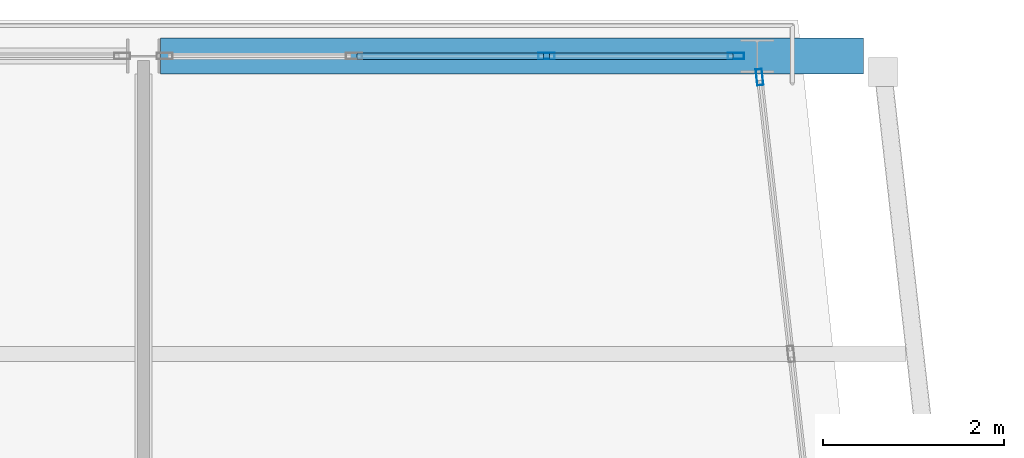
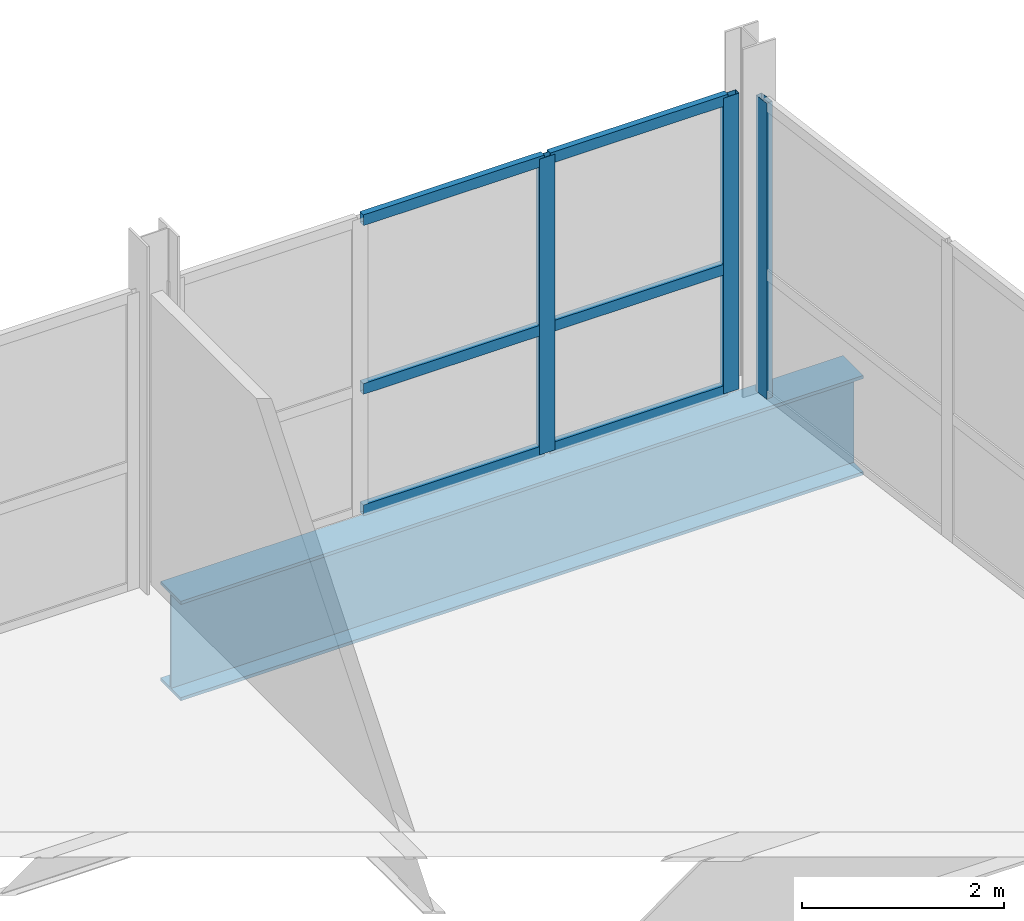
# One storey, part 13 of 23: 9 members, 1 beam, 2 elements without a shape of their own.
"""IFC4 building model written with IfcOpenShell, lengths in metres."""

import ifcopenshell
import ifcopenshell.guid

model = None  # the IFC model being written
_history = None  # IfcOwnerHistory: only IFC2X3 demands one
_inside = {}  # id of a spatial element -> (the spatial element, [elements in it])
_under = {}  # id of a project, library or spatial element -> (it, [spatial elements below it])
_declared = {}  # id of a project -> (the project, [libraries it declares])
_typed = {}  # id of a type object -> (the type object, [elements of that type])
_made_of = {}  # id of a material, layer set ... -> (it, [elements and type objects made of it])


def new_model(schema):
    """Start an empty IFC model of exactly this schema.

    Asked for "IFC4X3", IfcOpenShell would pick the latest addendum, in which some entities
    have other attributes; the version numbers below select the first issue.
    IFC2X3 requires an IfcOwnerHistory on every rooted entity: one is made here for all.
    """
    global model, _history
    if schema == "IFC4X3":
        model = ifcopenshell.file(schema_version=(4, 3, 0, 0))
    else:
        model = ifcopenshell.file(schema=schema)
    _inside.clear()
    _under.clear()
    _declared.clear()
    _typed.clear()
    _made_of.clear()
    _history = None
    if model.schema == "IFC2X3":
        org = make("IfcOrganization", Name="unknown")
        user = make(
            "IfcPersonAndOrganization",
            ThePerson=make("IfcPerson", FamilyName="unknown"),
            TheOrganization=org,
        )
        app = make(
            "IfcApplication",
            ApplicationDeveloper=org,
            Version="unknown",
            ApplicationFullName="unknown",
            ApplicationIdentifier="unknown",
        )
        _history = make(
            "IfcOwnerHistory",
            OwningUser=user,
            OwningApplication=app,
            ChangeAction="ADDED",
            CreationDate=0,
        )
    return model


def make(cls, **values):
    """One entity of the class cls with the attributes given. An attribute that is None is left unset."""
    return model.create_entity(
        cls, **{name: value for name, value in values.items() if value is not None}
    )


def rooted(cls, **values):
    """An entity with a GlobalId (a new one), such as an element, a storey or a relation."""
    return make(cls, GlobalId=ifcopenshell.guid.new(), OwnerHistory=_history, **values)


def si_unit(unit_type, name, prefix=None):
    """IfcSIUnit, for example si_unit("LENGTHUNIT", "METRE", prefix="MILLI")."""
    return make("IfcSIUnit", UnitType=unit_type, Prefix=prefix, Name=name)


def assignment(units):
    """IfcUnitAssignment: the units of a project."""
    return None if units is None else make("IfcUnitAssignment", Units=units)


def point(xyz):
    """IfcCartesianPoint."""
    return None if xyz is None else make("IfcCartesianPoint", Coordinates=xyz)


def direction(xyz):
    """IfcDirection."""
    return None if xyz is None else make("IfcDirection", DirectionRatios=xyz)


def frame(location, z_axis=None, x_axis=None):
    """IfcAxis2Placement3D, a coordinate frame: its origin and axes. An axis left out is left unset."""
    return make(
        "IfcAxis2Placement3D",
        Location=point(location),
        Axis=direction(z_axis),
        RefDirection=direction(x_axis),
    )


def frame_2d(location, x_axis=None):
    """IfcAxis2Placement2D, a coordinate frame in the plane: its origin and x axis."""
    return make(
        "IfcAxis2Placement2D", Location=point(location), RefDirection=direction(x_axis)
    )


def origin():
    """The frame at (0, 0, 0) with its axes left unset."""
    return frame((0.0, 0.0, 0.0))


def origin_2d():
    """The frame at (0, 0) in the plane with its x axis left unset."""
    return frame_2d((0.0, 0.0))


def place(relative_to, where):
    """IfcLocalPlacement: puts the frame where relative to a parent placement (None: the world)."""
    return make(
        "IfcLocalPlacement", PlacementRelTo=relative_to, RelativePlacement=where
    )


def context(
    kind, dimensions, precision=None, world=None, true_north=None, identifier=None
):
    """IfcGeometricRepresentationContext, for example the 3D "Model" context."""
    return make(
        "IfcGeometricRepresentationContext",
        ContextIdentifier=identifier,
        ContextType=kind,
        CoordinateSpaceDimension=dimensions,
        Precision=precision,
        WorldCoordinateSystem=world,
        TrueNorth=true_north,
    )


def subcontext(parent, identifier, kind, view, scale=None):
    """IfcGeometricRepresentationSubContext, for example "Body" below "Model"."""
    return make(
        "IfcGeometricRepresentationSubContext",
        ContextIdentifier=identifier,
        ContextType=kind,
        ParentContext=parent,
        TargetScale=scale,
        TargetView=view,
    )


def project(units=None, contexts=None):
    """IfcProject with its units and contexts."""
    return rooted(
        "IfcProject",
        Name="project",
        RepresentationContexts=contexts,
        UnitsInContext=assignment(units),
    )


def spatial(cls, under=None, at=None, **own):
    """A site, building, storey or space (cls), placed at a placement, below another one or the project."""
    s = rooted(cls, ObjectPlacement=at, **own)
    if under is not None:
        _under.setdefault(under.id(), (under, []))[1].append(s)
    return s


def profile(cls, at=None, kind="AREA", **sizes):
    """A parametric profile (cls). Its sizes go by their IFC names, for example OverallWidth=200.0."""
    return make(cls, ProfileType=kind, Position=at, **sizes)


def hollow_rectangle(**sizes):
    """IfcRectangleHollowProfileDef."""
    return profile("IfcRectangleHollowProfileDef", **sizes)


def i_section(**sizes):
    """IfcIShapeProfileDef."""
    return profile("IfcIShapeProfileDef", **sizes)


def extrude(swept, where, along, depth):
    """IfcExtrudedAreaSolid: the profile swept, set in the frame where, extruded along a direction by depth."""
    return make(
        "IfcExtrudedAreaSolid",
        SweptArea=swept,
        Position=where,
        ExtrudedDirection=direction(along),
        Depth=depth,
    )


def shape(context_of_items, identifier, shape_type, items):
    """IfcShapeRepresentation: the items that make up one representation, for example the "Body"."""
    return make(
        "IfcShapeRepresentation",
        ContextOfItems=context_of_items,
        RepresentationIdentifier=identifier,
        RepresentationType=shape_type,
        Items=items,
    )


def material(Name=None, Category=None):
    """IfcMaterial."""
    return make("IfcMaterial", Name=Name, Category=Category)


def layer(
    of_material, thickness, ventilated=None, Name=None, Category=None, Priority=None
):
    """IfcMaterialLayer: one layer of a wall or slab, of a material (None: an air gap)."""
    return make(
        "IfcMaterialLayer",
        Material=of_material,
        LayerThickness=thickness,
        IsVentilated=ventilated,
        Name=Name,
        Category=Category,
        Priority=Priority,
    )


def layer_set(layers, Name=None):
    """IfcMaterialLayerSet."""
    return make("IfcMaterialLayerSet", MaterialLayers=layers, LayerSetName=Name)


def material_profile(
    of_material, cross_section, Name=None, Category=None, Priority=None
):
    """IfcMaterialProfile: a cross section and its material."""
    return make(
        "IfcMaterialProfile",
        Name=Name,
        Material=of_material,
        Profile=cross_section,
        Priority=Priority,
        Category=Category,
    )


def profile_set(profiles, Name=None, composite=None):
    """IfcMaterialProfileSet."""
    return make(
        "IfcMaterialProfileSet",
        Name=Name,
        MaterialProfiles=profiles,
        CompositeProfile=composite,
    )


def made_of(thing, what):
    """Note that an element or type object is made of a material, layer set ...; save() writes the relation."""
    if what is not None:
        _made_of.setdefault(what.id(), (what, []))[1].append(thing)
    return thing


def type_object(cls, material=None, **own):
    """A type object (cls), such as IfcWallType, which elements share."""
    return made_of(rooted(cls, **own), material)


def element(
    cls,
    number,
    at=None,
    inside=None,
    cuts=None,
    type_object=None,
    material=None,
    context=None,
    identifier="Body",
    shape_type=None,
    held_by="IfcProductDefinitionShape",
    body=None,
    shapes=None,
    **own,
):
    """One element of the class cls, such as IfcWall. Its Tag is "e" and its number.

    at: its placement. inside: the storey or other place that contains it. cuts: it is an
    opening in that element (IfcRelVoidsElement). A single representation is given by context,
    identifier, shape_type and body (its items); several are given by shapes. held_by: the class
    of the entity that holds the representations. save() writes the other relations.
    """
    e = rooted(cls, Tag="e%d" % number, ObjectPlacement=at, **own)
    if body is not None:
        shapes = [shape(context, identifier, shape_type, body)]
    if shapes is not None:
        e.Representation = make(held_by, Representations=shapes)
    if inside is not None:
        _inside.setdefault(inside.id(), (inside, []))[1].append(e)
    if cuts is not None:
        rooted(
            "IfcRelVoidsElement", RelatingBuildingElement=cuts, RelatedOpeningElement=e
        )
    if type_object is not None:
        _typed.setdefault(type_object.id(), (type_object, []))[1].append(e)
    return made_of(e, material)


def aggregate(whole, parts):
    """IfcRelAggregates: a whole, such as a stair, and the parts it consists of."""
    return rooted("IfcRelAggregates", RelatingObject=whole, RelatedObjects=parts)


def save(model, path):
    """Write the relations noted so far, then the file.

    IfcRelAggregates (storeys below a building ...), IfcRelContainedInSpatialStructure (elements
    in a storey), IfcRelDefinesByType, IfcRelAssociatesMaterial and IfcRelDeclares: one each for
    every whole, place, type object, material and project.
    """
    for whole, parts in _under.values():
        aggregate(whole, parts)
    for where, things in _inside.values():
        rooted(
            "IfcRelContainedInSpatialStructure",
            RelatedElements=things,
            RelatingStructure=where,
        )
    for kind, things in _typed.values():
        rooted("IfcRelDefinesByType", RelatedObjects=things, RelatingType=kind)
    for what, things in _made_of.values():
        rooted("IfcRelAssociatesMaterial", RelatedObjects=things, RelatingMaterial=what)
    for by, libraries in _declared.values():
        rooted("IfcRelDeclares", RelatingContext=by, RelatedDefinitions=libraries)
    model.write(path)


model = new_model("IFC4")

# Units and contexts
model_context = context("Model", 3, precision=1e-05, world=origin(), true_north=direction((0.0, 1.0)))
body_context = subcontext(model_context, "Body", "Model", "MODEL_VIEW")
ifc_project = project(units=[si_unit("LENGTHUNIT", "METRE"), si_unit("AREAUNIT", "SQUARE_METRE"), si_unit("VOLUMEUNIT", "CUBIC_METRE"), si_unit("PLANEANGLEUNIT", "RADIAN"), si_unit("MASSUNIT", "GRAM", prefix="KILO")], contexts=[model_context])

# Site, building, storey
site_placement = place(None, origin())
site = spatial("IfcSite", under=ifc_project, at=site_placement, CompositionType="ELEMENT")
building_placement = place(site_placement, origin())
building = spatial("IfcBuilding", under=site, at=building_placement, Name="Quillay Park Conservatory", CompositionType="ELEMENT")
storey_placement = place(building_placement, frame((0.0, 0.0, 22.5)))
storey = spatial("IfcBuildingStorey", under=building, at=storey_placement, Name="L05", CompositionType="ELEMENT", Elevation=22.5)

# Curtain wall, member
ifc_material_1 = material(Name="Thermally Broken Anodised Aluminium 6063-T6", Category="aluminium")
ifc_layer = layer(ifc_material_1, 0.179931640625)
ifc_layer_set = layer_set([ifc_layer], Name="UNITISED CURTAIN WALL TOWER (Thermally Broken Anodised Aluminium 6063-T6)")
curtain_wall_type = type_object("IfcCurtainWallType", Name="UNITISED CURTAIN WALL TOWER", PredefinedType="USERDEFINED", material=ifc_layer_set)
curtain_wall_1_placement = place(storey_placement, origin())
curtain_wall_1 = element("IfcCurtainWall", 1, at=curtain_wall_1_placement, inside=storey, type_object=curtain_wall_type, Name="L05 Unitised Curtain Wall 054", ObjectType="UNITISED CURTAIN WALL", PredefinedType="USERDEFINED")
ifc_material_2 = material(Name="Thermally Broken Anodised Aluminium 6063-T6", Category="aluminium")
ifc_material_profile_1 = material_profile(ifc_material_2, hollow_rectangle(XDim=0.070068359375, YDim=0.179931640625, WallThickness=0.00390625, at=origin_2d()), Name="AL70x180x4")
ifc_profile_set_1 = profile_set([ifc_material_profile_1], Name="Thermally Broken Anodised Aluminium 6063-T6")
member_type_1 = type_object("IfcMemberType", Name="CURTAIN WALL MULLION 70 X180", PredefinedType="MULLION", material=ifc_profile_set_1)
member_1_placement = place(storey_placement, frame((26.57666015625, 113.16650390625, 0.0), z_axis=(0.0, 0.0, 1.0), x_axis=(0.993605989969, 0.112903218278, 0.0)))
member_1 = element("IfcMember", 2, at=member_1_placement, type_object=member_type_1, Name="CW-T1 mullion 1", PredefinedType="MULLION", context=body_context, shape_type="SweptSolid", body=[
    extrude(hollow_rectangle(XDim=0.070068359375, YDim=0.179931640625, WallThickness=0.00390625, at=origin_2d()), origin(), (0.0, 0.0, 1.0), 3.569091796875),
])
aggregate(curtain_wall_1, [member_1])

# Curtain wall, members
curtain_wall_2_placement = place(storey_placement, origin())
curtain_wall_2 = element("IfcCurtainWall", 3, at=curtain_wall_2_placement, inside=storey, type_object=curtain_wall_type, Name="L05 Unitised Curtain Wall 057", ObjectType="UNITISED CURTAIN WALL", PredefinedType="USERDEFINED")
member_2_placement = place(storey_placement, frame((24.216552734375, 113.39990234375, 0.0), z_axis=(0.0, 0.0, 1.0), x_axis=(0.0, 1.0, 0.0)))
member_2 = element("IfcMember", 4, at=member_2_placement, type_object=member_type_1, Name="CW-T1 mullion 3", PredefinedType="MULLION", context=body_context, shape_type="SweptSolid", body=[
    extrude(hollow_rectangle(XDim=0.070068359375, YDim=0.179931640625, WallThickness=0.00390625, at=origin_2d()), origin(), (0.0, 0.0, 1.0), 3.569091796875),
])
member_3_placement = place(storey_placement, frame((26.31494140625, 113.39990234375, 0.0), z_axis=(0.0, 0.0, 1.0), x_axis=(0.0, 1.0, 0.0)))
member_3 = element("IfcMember", 5, at=member_3_placement, type_object=member_type_1, Name="CW-T1 mullion 4", PredefinedType="MULLION", context=body_context, shape_type="SweptSolid", body=[
    extrude(hollow_rectangle(XDim=0.070068359375, YDim=0.179931640625, WallThickness=0.00390625, at=origin_2d()), origin(), (0.0, 0.0, 1.0), 3.569091796875),
])
ifc_material_3 = material(Name="Thermally Broken Anodised Aluminium 6063-T6", Category="aluminium")
ifc_material_profile_2 = material_profile(ifc_material_3, hollow_rectangle(XDim=0.070068359375, YDim=0.1298828125, WallThickness=0.003173828125, at=origin_2d()), Name="AL70x130x3.2")
ifc_profile_set_2 = profile_set([ifc_material_profile_2], Name="Thermally Broken Anodised Aluminium 6063-T6")
member_type_2 = type_object("IfcMemberType", Name="CURTAIN WALL TRANSOM 70 X130", PredefinedType="USERDEFINED", material=ifc_profile_set_2)
member_4_placement = place(storey_placement, frame((22.118408203125, 113.39990234375, 0.034912109375), z_axis=(1.0, 0.0, 0.0), x_axis=(0.0, 1.0, 0.0)))
member_4 = element("IfcMember", 6, at=member_4_placement, type_object=member_type_2, Name="CW-T1 transom 2.1", ObjectType="TRANSOM", PredefinedType="USERDEFINED", context=body_context, shape_type="SweptSolid", body=[
    extrude(hollow_rectangle(XDim=0.070068359375, YDim=0.1298828125, WallThickness=0.003173828125, at=origin_2d()), origin(), (0.0, 0.0, 1.0), 2.063232421875),
])
member_5_placement = place(storey_placement, frame((22.118408203125, 113.39990234375, 1.4990234375), z_axis=(1.0, 0.0, 0.0), x_axis=(0.0, 1.0, 0.0)))
member_5 = element("IfcMember", 7, at=member_5_placement, type_object=member_type_2, Name="CW-T1 transom 2.2", ObjectType="TRANSOM", PredefinedType="USERDEFINED", context=body_context, shape_type="SweptSolid", body=[
    extrude(hollow_rectangle(XDim=0.070068359375, YDim=0.1298828125, WallThickness=0.003173828125, at=origin_2d()), origin(), (0.0, 0.0, 1.0), 2.063232421875),
])
member_6_placement = place(storey_placement, frame((22.118408203125, 113.39990234375, 3.533935546875), z_axis=(1.0, 0.0, 0.0), x_axis=(0.0, 1.0, 0.0)))
member_6 = element("IfcMember", 8, at=member_6_placement, type_object=member_type_2, Name="CW-T1 transom 2.3", ObjectType="TRANSOM", PredefinedType="USERDEFINED", context=body_context, shape_type="SweptSolid", body=[
    extrude(hollow_rectangle(XDim=0.070068359375, YDim=0.1298828125, WallThickness=0.003173828125, at=origin_2d()), origin(), (0.0, 0.0, 1.0), 2.063232421875),
])
member_7_placement = place(storey_placement, frame((24.251708984375, 113.39990234375, 0.034912109375), z_axis=(1.0, 0.0, 0.0), x_axis=(0.0, 1.0, 0.0)))
member_7 = element("IfcMember", 9, at=member_7_placement, type_object=member_type_2, Name="CW-T1 transom 3.1", ObjectType="TRANSOM", PredefinedType="USERDEFINED", context=body_context, shape_type="SweptSolid", body=[
    extrude(hollow_rectangle(XDim=0.070068359375, YDim=0.1298828125, WallThickness=0.003173828125, at=origin_2d()), origin(), (0.0, 0.0, 1.0), 2.0283203125),
])
member_8_placement = place(storey_placement, frame((24.251708984375, 113.39990234375, 1.4990234375), z_axis=(1.0, 0.0, 0.0), x_axis=(0.0, 1.0, 0.0)))
member_8 = element("IfcMember", 10, at=member_8_placement, type_object=member_type_2, Name="CW-T1 transom 3.2", ObjectType="TRANSOM", PredefinedType="USERDEFINED", context=body_context, shape_type="SweptSolid", body=[
    extrude(hollow_rectangle(XDim=0.070068359375, YDim=0.1298828125, WallThickness=0.003173828125, at=origin_2d()), origin(), (0.0, 0.0, 1.0), 2.0283203125),
])
member_9_placement = place(storey_placement, frame((24.251708984375, 113.39990234375, 3.533935546875), z_axis=(1.0, 0.0, 0.0), x_axis=(0.0, 1.0, 0.0)))
member_9 = element("IfcMember", 11, at=member_9_placement, type_object=member_type_2, Name="CW-T1 transom 3.3", ObjectType="TRANSOM", PredefinedType="USERDEFINED", context=body_context, shape_type="SweptSolid", body=[
    extrude(hollow_rectangle(XDim=0.070068359375, YDim=0.1298828125, WallThickness=0.003173828125, at=origin_2d()), origin(), (0.0, 0.0, 1.0), 2.0283203125),
])
aggregate(curtain_wall_2, [member_2, member_3, member_4, member_5, member_6, member_7, member_8, member_9])

# Beam
ifc_material_4 = material(Name="Steel ASTM A572 Grade 50", Category="steel")
ifc_material_profile_3 = material_profile(ifc_material_4, i_section(OverallWidth=0.39990234375, OverallDepth=1.199951171875, WebThickness=0.02001953125, FlangeThickness=0.0380859375, at=origin_2d()), Name="IG1200x400")
ifc_profile_set_3 = profile_set([ifc_material_profile_3], Name="Steel ASTM A572 Grade 50")
beam_type = type_object("IfcBeamType", Name="TRANSFER PLATE GIRDER IG1200", PredefinedType="USERDEFINED", material=ifc_profile_set_3)
beam_placement = place(storey_placement, frame((19.93994140625, 113.39990234375, -0.800048828125), z_axis=(1.0, 0.0, 0.0), x_axis=(0.0, 1.0, 0.0)))
element("IfcBeam", 12, at=beam_placement, inside=storey, type_object=beam_type, Name="L05 beam BM-TG2-0401", ObjectType="TRANSFER PLATE GIRDER", PredefinedType="USERDEFINED", context=body_context, shape_type="SweptSolid", body=[
    extrude(i_section(OverallWidth=0.39990234375, OverallDepth=1.199951171875, WebThickness=0.02001953125, FlangeThickness=0.0380859375, at=origin_2d()), origin(), (0.0, 0.0, 1.0), 7.78759765625),
])

save(model, "model.ifc")
